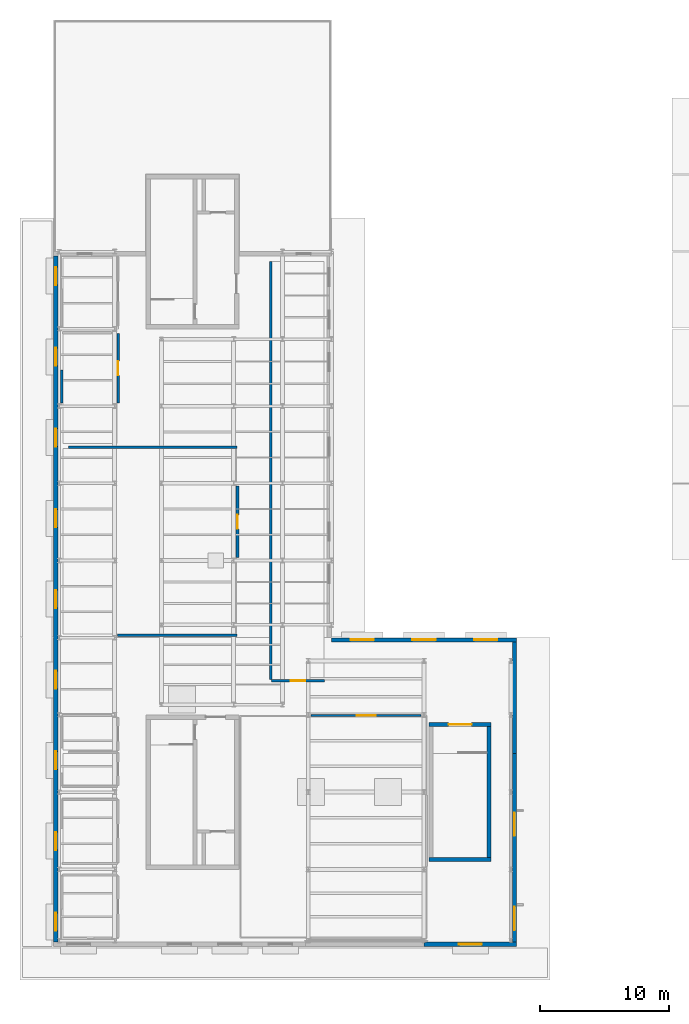
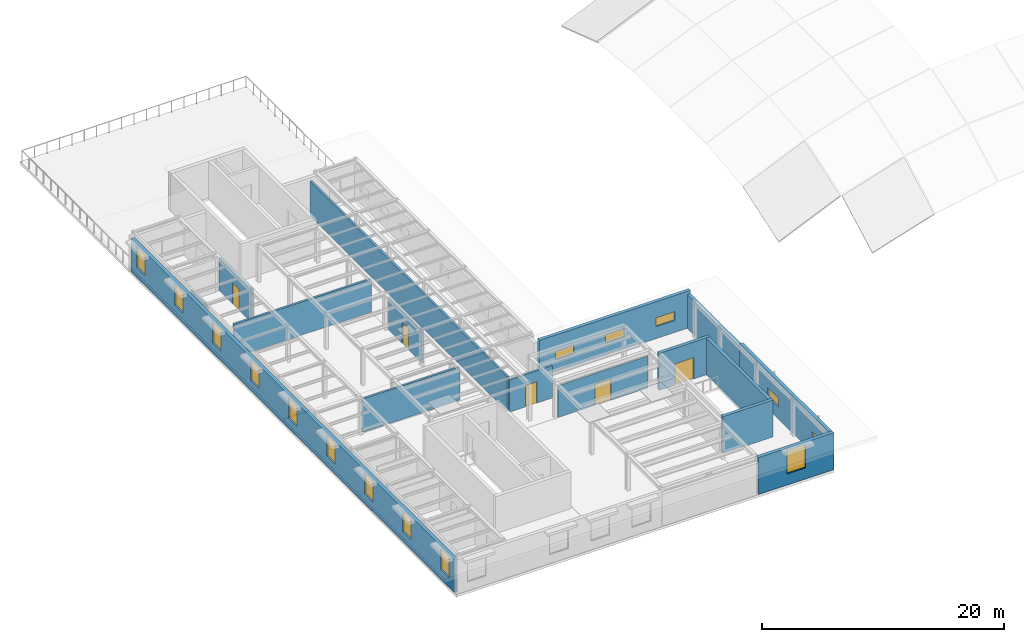
# One storey, part 8 of 10: 16 walls, 15 windows, 5 doors, 20 openings.
"""IFC4 building model written with IfcOpenShell, lengths in metres."""

from ifc_helpers import new_model, si_unit, direction, frame, frame_2d, origin, place, context, subcontext, project, spatial, rectangle, extrude, material, layer, layer_set, type_object, element, fill, save


model = new_model("IFC4")

# Units and contexts
model_context = context("Model", 3, precision=1e-05, world=origin(), true_north=direction((0.0, 1.0)))
body_context = subcontext(model_context, "Body", "Model", "MODEL_VIEW")
ifc_project = project(units=[si_unit("LENGTHUNIT", "METRE"), si_unit("AREAUNIT", "SQUARE_METRE"), si_unit("VOLUMEUNIT", "CUBIC_METRE"), si_unit("PLANEANGLEUNIT", "RADIAN"), si_unit("MASSUNIT", "GRAM", prefix="KILO")], contexts=[model_context])

# Site, building, storey
site_placement = place(None, origin())
site = spatial("IfcSite", under=ifc_project, at=site_placement, CompositionType="ELEMENT")
building_placement = place(site_placement, origin())
building = spatial("IfcBuilding", under=site, at=building_placement, Name="Kolvaren Corner Interchange", CompositionType="ELEMENT")
storey_placement = place(building_placement, frame((0.0, 0.0, 18.75)))
storey = spatial("IfcBuildingStorey", under=building, at=storey_placement, Name="L05", CompositionType="ELEMENT", Elevation=18.75)

# Wall
ifc_material_1 = material(Name="Concrete C35/45", Category="concrete")
ifc_layer_1 = layer(ifc_material_1, 0.31005859375)
ifc_layer_set_1 = layer_set([ifc_layer_1], Name="Concrete C35/45")
wall_type_1 = type_object("IfcWallType", Name="WL-STAIR-300", PredefinedType="SHEAR", material=ifc_layer_set_1)
wall_1_placement = place(storey_placement, frame((29.199951171875, 6.7548828125, 0.0), z_axis=(0.0, 0.0, 1.0), x_axis=(1.0, 0.0, 0.0)))
element("IfcWall", 1, at=wall_1_placement, inside=storey, type_object=wall_type_1, Name="Operations South Bar Protected Exit Stair L05 South Enclosure Wall", PredefinedType="SHEAR", context=body_context, shape_type="SweptSolid", body=[
    extrude(rectangle(XDim=4.800048828125, YDim=0.31005859375, at=frame_2d((2.39990234375, 0.0))), origin(), (0.0, 0.0, 1.0), 3.7099609375),
])

# Wall, opening, door
wall_2_placement = place(storey_placement, frame((29.199951171875, 17.2451171875, 0.0), z_axis=(0.0, 0.0, 1.0), x_axis=(1.0, 0.0, 0.0)))
wall_2 = element("IfcWall", 2, at=wall_2_placement, inside=storey, type_object=wall_type_1, Name="Operations South Bar Protected Exit Stair L05 North Enclosure Wall", PredefinedType="SHEAR", context=body_context, shape_type="SweptSolid", body=[
    extrude(rectangle(XDim=4.800048828125, YDim=0.31005859375, at=frame_2d((2.39990234375, 0.0))), origin(), (0.0, 0.0, 1.0), 3.7099609375),
])
opening_1_placement = place(wall_2_placement, frame((1.5, 0.0, 0.0)))
opening_1 = element("IfcOpeningElement", 3, at=opening_1_placement, cuts=wall_2, Name="Opening D-F01", PredefinedType="OPENING", context=body_context, shape_type="SweptSolid", body=[
    extrude(rectangle(XDim=1.800048828125, YDim=2.14990234375, at=frame_2d((0.89990234375, 1.074951171875))), frame((0.0, 0.1650390625, 0.0), z_axis=(0.0, -1.0, 0.0), x_axis=(1.0, 0.0, 0.0)), (0.0, 0.0, 1.0), 0.330078125),
])
ifc_material_2 = material(Name="Powder-coated Fire-rated Steel Sheet", Category="steel")
door_type_1 = type_object("IfcDoorType", Name="DT-FD-1800x2150", OperationType="NOTDEFINED", PredefinedType="DOOR", material=ifc_material_2)
door_1_placement = place(opening_1_placement, origin())
door_1 = element("IfcDoor", 4, at=door_1_placement, inside=storey, type_object=door_type_1, Name="Operations South Bar Protected Exit Stair L05 Protected Exit Door", OperationType="DOUBLE_DOOR_SINGLE_SWING", OverallHeight=2.14990234375, OverallWidth=1.800048828125, PredefinedType="DOOR", context=body_context, shape_type="SweptSolid", body=[
    extrude(rectangle(XDim=1.800048828125, YDim=2.14990234375, at=frame_2d((0.89990234375, 1.074951171875))), frame((0.0, 0.02490234375, 0.0), z_axis=(0.0, -1.0, 0.0), x_axis=(1.0, 0.0, 0.0)), (0.0, 0.0, 1.0), 0.050048828125),
])
fill(opening_1, door_1)

# Wall
wall_3_placement = place(storey_placement, frame((33.844970703125, 6.909912109375, 0.0), z_axis=(0.0, 0.0, 1.0), x_axis=(0.0, 1.0, 0.0)))
element("IfcWall", 5, at=wall_3_placement, inside=storey, type_object=wall_type_1, Name="Operations South Bar Protected Exit Stair L05 East Enclosure Wall", PredefinedType="SHEAR", context=body_context, shape_type="SweptSolid", body=[
    extrude(rectangle(XDim=10.18017578125, YDim=0.31005859375, at=frame_2d((5.090087890625, 0.0))), origin(), (0.0, 0.0, 1.0), 3.7099609375),
])

# Wall, opening, window
ifc_material_3 = material(Name="Cream Architectural Terracotta Rainscreen Assembly", Category="masonry")
ifc_layer_2 = layer(ifc_material_3, 0.330078125)
ifc_layer_set_2 = layer_set([ifc_layer_2], Name="Cream Architectural Terracotta Rainscreen Assembly")
wall_type_2 = type_object("IfcWallType", Name="WT-EXT-TC320", PredefinedType="SOLIDWALL", material=ifc_layer_set_2)
wall_4_placement = place(storey_placement, frame((28.800048828125, 0.179931640625, 0.0), z_axis=(0.0, 0.0, 1.0), x_axis=(1.0, 0.0, 0.0)))
wall_4 = element("IfcWall", 6, at=wall_4_placement, inside=storey, type_object=wall_type_2, Name="Operations Boulevard South Facade Wall 0051", PredefinedType="SOLIDWALL", context=body_context, shape_type="SweptSolid", body=[
    extrude(rectangle(XDim=7.199951171875, YDim=0.330078125, at=frame_2d((3.60009765625, 0.0))), origin(), (0.0, 0.0, 1.0), 3.7099609375),
])
opening_2_placement = place(wall_4_placement, frame((2.699951171875, 0.0, 1.1201171875)))
opening_2 = element("IfcOpeningElement", 7, at=opening_2_placement, cuts=wall_4, Name="Opening W-03", PredefinedType="OPENING", context=body_context, shape_type="SweptSolid", body=[
    extrude(rectangle(XDim=1.800048828125, YDim=2.35009765625, at=frame_2d((0.89990234375, 1.175048828125))), frame((0.0, 0.175048828125, 0.0), z_axis=(0.0, -1.0, 0.0), x_axis=(1.0, 0.0, 0.0)), (0.0, 0.0, 1.0), 0.35009765625),
])
ifc_material_4 = material(Name="Thermally Broken Aluminium and Solar-Control Double Glazing", Category="aluminium")
window_type_1 = type_object("IfcWindowType", Name="WT-CHI-1800x2400", PartitioningType="DOUBLE_PANEL_VERTICAL", PredefinedType="WINDOW", material=ifc_material_4)
window_1_placement = place(opening_2_placement, origin())
window_1 = element("IfcWindow", 8, at=window_1_placement, inside=storey, type_object=window_type_1, Name="L05 Operations Boulevard South Facade Window 0122", OverallHeight=2.35009765625, OverallWidth=1.800048828125, PartitioningType="SINGLE_PANEL", PredefinedType="WINDOW", context=body_context, shape_type="SweptSolid", body=[
    extrude(rectangle(XDim=1.800048828125, YDim=2.35009765625, at=frame_2d((0.89990234375, 1.175048828125))), frame((0.0, 0.030029296875, 0.0), z_axis=(0.0, -1.0, 0.0), x_axis=(1.0, 0.0, 0.0)), (0.0, 0.0, 1.0), 0.06005859375),
])
fill(opening_2, window_1)

# Wall, openings, windows
wall_5_placement = place(storey_placement, frame((35.830078125, 0.344970703125, 0.0), z_axis=(0.0, 0.0, 1.0), x_axis=(0.0, 1.0, 0.0)))
wall_5 = element("IfcWall", 9, at=wall_5_placement, inside=storey, type_object=wall_type_2, Name="Operations Forecourt East Facade Wall 0052", PredefinedType="SOLIDWALL", context=body_context, shape_type="SweptSolid", body=[
    extrude(rectangle(XDim=14.655029296875, YDim=0.330078125, at=frame_2d((7.32763671875, 0.0))), origin(), (0.0, 0.0, 1.0), 3.7099609375),
])
opening_3_placement = place(wall_5_placement, frame((0.931884765625, 0.0, 1.199951171875)))
opening_3 = element("IfcOpeningElement", 10, at=opening_3_placement, cuts=wall_5, Name="Opening W-09", PredefinedType="OPENING", context=body_context, shape_type="SweptSolid", body=[
    extrude(rectangle(XDim=1.800048828125, YDim=0.89990234375, at=frame_2d((0.89990234375, 0.449951171875))), frame((0.0, 0.175048828125, 0.0), z_axis=(0.0, -1.0, 0.0), x_axis=(1.0, 0.0, 0.0)), (0.0, 0.0, 1.0), 0.35009765625),
])
opening_4_placement = place(wall_5_placement, frame((8.259521484375, 0.0, 1.199951171875)))
opening_4 = element("IfcOpeningElement", 11, at=opening_4_placement, cuts=wall_5, Name="Opening W-09", PredefinedType="OPENING", context=body_context, shape_type="SweptSolid", body=[
    extrude(rectangle(XDim=1.800048828125, YDim=0.89990234375, at=frame_2d((0.89990234375, 0.449951171875))), frame((0.0, 0.175048828125, 0.0), z_axis=(0.0, -1.0, 0.0), x_axis=(1.0, 0.0, 0.0)), (0.0, 0.0, 1.0), 0.35009765625),
])
ifc_material_5 = material(Name="Thermally Broken Aluminium and Solar-Control Double Glazing", Category="aluminium")
window_type_2 = type_object("IfcWindowType", Name="WT-RIB-1800x900", PartitioningType="DOUBLE_PANEL_HORIZONTAL", PredefinedType="WINDOW", material=ifc_material_5)
window_2_placement = place(opening_3_placement, origin())
window_2 = element("IfcWindow", 12, at=window_2_placement, inside=storey, type_object=window_type_2, Name="L05 Operations Forecourt East Facade Window 0123", OverallHeight=0.89990234375, OverallWidth=1.800048828125, PartitioningType="SINGLE_PANEL", PredefinedType="WINDOW", context=body_context, shape_type="SweptSolid", body=[
    extrude(rectangle(XDim=1.800048828125, YDim=0.89990234375, at=frame_2d((0.89990234375, 0.449951171875))), frame((0.0, 0.030029296875, 0.0), z_axis=(0.0, -1.0, 0.0), x_axis=(1.0, 0.0, 0.0)), (0.0, 0.0, 1.0), 0.06005859375),
])
fill(opening_3, window_2)
window_3_placement = place(opening_4_placement, origin())
window_3 = element("IfcWindow", 13, at=window_3_placement, inside=storey, type_object=window_type_2, Name="L05 Operations Forecourt East Facade Window 0124", OverallHeight=0.89990234375, OverallWidth=1.800048828125, PartitioningType="SINGLE_PANEL", PredefinedType="WINDOW", context=body_context, shape_type="SweptSolid", body=[
    extrude(rectangle(XDim=1.800048828125, YDim=0.89990234375, at=frame_2d((0.89990234375, 0.449951171875))), frame((0.0, 0.030029296875, 0.0), z_axis=(0.0, -1.0, 0.0), x_axis=(1.0, 0.0, 0.0)), (0.0, 0.0, 1.0), 0.06005859375),
])
fill(opening_4, window_3)

# Wall
wall_6_placement = place(storey_placement, frame((35.830078125, 15.0, 0.0), z_axis=(0.0, 0.0, 1.0), x_axis=(0.0, 1.0, 0.0)))
element("IfcWall", 14, at=wall_6_placement, inside=storey, type_object=wall_type_2, Name="Operations Forecourt East Facade Wall 0053", PredefinedType="SOLIDWALL", context=body_context, shape_type="SweptSolid", body=[
    extrude(rectangle(XDim=8.64990234375, YDim=0.330078125, at=frame_2d((4.324951171875, 0.0))), origin(), (0.0, 0.0, 1.0), 3.405029296875),
])

# Wall, openings, windows
wall_7_placement = place(storey_placement, frame((36.0, 23.830078125, 0.0), z_axis=(0.0, 0.0, 1.0), x_axis=(-1.0, 0.0, 0.0)))
wall_7 = element("IfcWall", 15, at=wall_7_placement, inside=storey, type_object=wall_type_2, Name="Operations Inner Courtyard South Return Wall 0054", PredefinedType="SOLIDWALL", context=body_context, shape_type="SweptSolid", body=[
    extrude(rectangle(XDim=14.39990234375, YDim=0.330078125, at=frame_2d((7.199951171875, 0.0))), origin(), (0.0, 0.0, 1.0), 3.7099609375),
])
opening_5_placement = place(wall_7_placement, frame((1.5, 0.0, 1.199951171875)))
opening_5 = element("IfcOpeningElement", 16, at=opening_5_placement, cuts=wall_7, Name="Opening W-09", PredefinedType="OPENING", context=body_context, shape_type="SweptSolid", body=[
    extrude(rectangle(XDim=1.800048828125, YDim=0.89990234375, at=frame_2d((0.89990234375, 0.449951171875))), frame((0.0, 0.175048828125, 0.0), z_axis=(0.0, -1.0, 0.0), x_axis=(1.0, 0.0, 0.0)), (0.0, 0.0, 1.0), 0.35009765625),
])
opening_6_placement = place(wall_7_placement, frame((6.300048828125, 0.0, 1.199951171875)))
opening_6 = element("IfcOpeningElement", 17, at=opening_6_placement, cuts=wall_7, Name="Opening W-09", PredefinedType="OPENING", context=body_context, shape_type="SweptSolid", body=[
    extrude(rectangle(XDim=1.800048828125, YDim=0.89990234375, at=frame_2d((0.89990234375, 0.449951171875))), frame((0.0, 0.175048828125, 0.0), z_axis=(0.0, -1.0, 0.0), x_axis=(1.0, 0.0, 0.0)), (0.0, 0.0, 1.0), 0.35009765625),
])
opening_7_placement = place(wall_7_placement, frame((11.10009765625, 0.0, 1.199951171875)))
opening_7 = element("IfcOpeningElement", 18, at=opening_7_placement, cuts=wall_7, Name="Opening W-09", PredefinedType="OPENING", context=body_context, shape_type="SweptSolid", body=[
    extrude(rectangle(XDim=1.800048828125, YDim=0.89990234375, at=frame_2d((0.89990234375, 0.449951171875))), frame((0.0, 0.175048828125, 0.0), z_axis=(0.0, -1.0, 0.0), x_axis=(1.0, 0.0, 0.0)), (0.0, 0.0, 1.0), 0.35009765625),
])
window_4_placement = place(opening_5_placement, origin())
window_4 = element("IfcWindow", 19, at=window_4_placement, inside=storey, type_object=window_type_2, Name="L05 Operations Inner Courtyard South Return Window 0125", OverallHeight=0.89990234375, OverallWidth=1.800048828125, PartitioningType="SINGLE_PANEL", PredefinedType="WINDOW", context=body_context, shape_type="SweptSolid", body=[
    extrude(rectangle(XDim=1.800048828125, YDim=0.89990234375, at=frame_2d((0.89990234375, 0.449951171875))), frame((0.0, 0.030029296875, 0.0), z_axis=(0.0, -1.0, 0.0), x_axis=(1.0, 0.0, 0.0)), (0.0, 0.0, 1.0), 0.06005859375),
])
fill(opening_5, window_4)
window_5_placement = place(opening_6_placement, origin())
window_5 = element("IfcWindow", 20, at=window_5_placement, inside=storey, type_object=window_type_2, Name="L05 Operations Inner Courtyard South Return Window 0126", OverallHeight=0.89990234375, OverallWidth=1.800048828125, PartitioningType="SINGLE_PANEL", PredefinedType="WINDOW", context=body_context, shape_type="SweptSolid", body=[
    extrude(rectangle(XDim=1.800048828125, YDim=0.89990234375, at=frame_2d((0.89990234375, 0.449951171875))), frame((0.0, 0.030029296875, 0.0), z_axis=(0.0, -1.0, 0.0), x_axis=(1.0, 0.0, 0.0)), (0.0, 0.0, 1.0), 0.06005859375),
])
fill(opening_6, window_5)
window_6_placement = place(opening_7_placement, origin())
window_6 = element("IfcWindow", 21, at=window_6_placement, inside=storey, type_object=window_type_2, Name="L05 Operations Inner Courtyard South Return Window 0127", OverallHeight=0.89990234375, OverallWidth=1.800048828125, PartitioningType="SINGLE_PANEL", PredefinedType="WINDOW", context=body_context, shape_type="SweptSolid", body=[
    extrude(rectangle(XDim=1.800048828125, YDim=0.89990234375, at=frame_2d((0.89990234375, 0.449951171875))), frame((0.0, 0.030029296875, 0.0), z_axis=(0.0, -1.0, 0.0), x_axis=(1.0, 0.0, 0.0)), (0.0, 0.0, 1.0), 0.06005859375),
])
fill(opening_7, window_6)

wall_8_placement = place(storey_placement, frame((0.169921875, 53.659912109375, 0.0), z_axis=(0.0, 0.0, 1.0), x_axis=(0.0, -1.0, 0.0)))
wall_8 = element("IfcWall", 22, at=wall_8_placement, inside=storey, type_object=wall_type_2, Name="Operations Trelmava Street West Facade Wall 0058", PredefinedType="SOLIDWALL", context=body_context, shape_type="SweptSolid", body=[
    extrude(rectangle(XDim=53.31494140625, YDim=0.330078125, at=frame_2d((26.657470703125, 0.0))), origin(), (0.0, 0.0, 1.0), 3.344970703125),
])
opening_8_placement = place(wall_8_placement, frame((0.8681640625, 0.0, 1.0048828125)))
opening_8 = element("IfcOpeningElement", 23, at=opening_8_placement, cuts=wall_8, Name="Opening W-14", PredefinedType="OPENING", context=body_context, shape_type="SweptSolid", body=[
    extrude(rectangle(XDim=1.39990234375, YDim=2.10009765625, at=frame_2d((0.699951171875, 1.050048828125))), frame((0.0, 0.175048828125, 0.0), z_axis=(0.0, -1.0, 0.0), x_axis=(1.0, 0.0, 0.0)), (0.0, 0.0, 1.0), 0.35009765625),
])
opening_9_placement = place(wall_8_placement, frame((7.140380859375, 0.0, 1.0048828125)))
opening_9 = element("IfcOpeningElement", 24, at=opening_9_placement, cuts=wall_8, Name="Opening W-14", PredefinedType="OPENING", context=body_context, shape_type="SweptSolid", body=[
    extrude(rectangle(XDim=1.39990234375, YDim=2.10009765625, at=frame_2d((0.699951171875, 1.050048828125))), frame((0.0, 0.175048828125, 0.0), z_axis=(0.0, -1.0, 0.0), x_axis=(1.0, 0.0, 0.0)), (0.0, 0.0, 1.0), 0.35009765625),
])
opening_10_placement = place(wall_8_placement, frame((13.412841796875, 0.0, 1.0048828125)))
opening_10 = element("IfcOpeningElement", 25, at=opening_10_placement, cuts=wall_8, Name="Opening W-14", PredefinedType="OPENING", context=body_context, shape_type="SweptSolid", body=[
    extrude(rectangle(XDim=1.39990234375, YDim=2.10009765625, at=frame_2d((0.699951171875, 1.050048828125))), frame((0.0, 0.175048828125, 0.0), z_axis=(0.0, -1.0, 0.0), x_axis=(1.0, 0.0, 0.0)), (0.0, 0.0, 1.0), 0.35009765625),
])
opening_11_placement = place(wall_8_placement, frame((19.68505859375, 0.0, 1.0048828125)))
opening_11 = element("IfcOpeningElement", 26, at=opening_11_placement, cuts=wall_8, Name="Opening W-14", PredefinedType="OPENING", context=body_context, shape_type="SweptSolid", body=[
    extrude(rectangle(XDim=1.39990234375, YDim=2.10009765625, at=frame_2d((0.699951171875, 1.050048828125))), frame((0.0, 0.175048828125, 0.0), z_axis=(0.0, -1.0, 0.0), x_axis=(1.0, 0.0, 0.0)), (0.0, 0.0, 1.0), 0.35009765625),
])
opening_12_placement = place(wall_8_placement, frame((25.95751953125, 0.0, 1.0048828125)))
opening_12 = element("IfcOpeningElement", 27, at=opening_12_placement, cuts=wall_8, Name="Opening W-14", PredefinedType="OPENING", context=body_context, shape_type="SweptSolid", body=[
    extrude(rectangle(XDim=1.39990234375, YDim=2.10009765625, at=frame_2d((0.699951171875, 1.050048828125))), frame((0.0, 0.175048828125, 0.0), z_axis=(0.0, -1.0, 0.0), x_axis=(1.0, 0.0, 0.0)), (0.0, 0.0, 1.0), 0.35009765625),
])
opening_13_placement = place(wall_8_placement, frame((32.22998046875, 0.0, 1.0048828125)))
opening_13 = element("IfcOpeningElement", 28, at=opening_13_placement, cuts=wall_8, Name="Opening W-14", PredefinedType="OPENING", context=body_context, shape_type="SweptSolid", body=[
    extrude(rectangle(XDim=1.39990234375, YDim=2.10009765625, at=frame_2d((0.699951171875, 1.050048828125))), frame((0.0, 0.175048828125, 0.0), z_axis=(0.0, -1.0, 0.0), x_axis=(1.0, 0.0, 0.0)), (0.0, 0.0, 1.0), 0.35009765625),
])
opening_14_placement = place(wall_8_placement, frame((38.502197265625, 0.0, 1.0048828125)))
opening_14 = element("IfcOpeningElement", 29, at=opening_14_placement, cuts=wall_8, Name="Opening W-14", PredefinedType="OPENING", context=body_context, shape_type="SweptSolid", body=[
    extrude(rectangle(XDim=1.39990234375, YDim=2.10009765625, at=frame_2d((0.699951171875, 1.050048828125))), frame((0.0, 0.175048828125, 0.0), z_axis=(0.0, -1.0, 0.0), x_axis=(1.0, 0.0, 0.0)), (0.0, 0.0, 1.0), 0.35009765625),
])
opening_15_placement = place(wall_8_placement, frame((44.774658203125, 0.0, 1.0048828125)))
opening_15 = element("IfcOpeningElement", 30, at=opening_15_placement, cuts=wall_8, Name="Opening W-14", PredefinedType="OPENING", context=body_context, shape_type="SweptSolid", body=[
    extrude(rectangle(XDim=1.39990234375, YDim=2.10009765625, at=frame_2d((0.699951171875, 1.050048828125))), frame((0.0, 0.175048828125, 0.0), z_axis=(0.0, -1.0, 0.0), x_axis=(1.0, 0.0, 0.0)), (0.0, 0.0, 1.0), 0.35009765625),
])
opening_16_placement = place(wall_8_placement, frame((51.046875, 0.0, 1.0048828125)))
opening_16 = element("IfcOpeningElement", 31, at=opening_16_placement, cuts=wall_8, Name="Opening W-14", PredefinedType="OPENING", context=body_context, shape_type="SweptSolid", body=[
    extrude(rectangle(XDim=1.39990234375, YDim=2.10009765625, at=frame_2d((0.699951171875, 1.050048828125))), frame((0.0, 0.175048828125, 0.0), z_axis=(0.0, -1.0, 0.0), x_axis=(1.0, 0.0, 0.0)), (0.0, 0.0, 1.0), 0.35009765625),
])
ifc_material_6 = material(Name="Thermally Broken Aluminium and Solar-Control Double Glazing", Category="aluminium")
window_type_3 = type_object("IfcWindowType", Name="WT-CHI-1400x2100", PartitioningType="SINGLE_PANEL", PredefinedType="WINDOW", material=ifc_material_6)
window_7_placement = place(opening_8_placement, origin())
window_7 = element("IfcWindow", 32, at=window_7_placement, inside=storey, type_object=window_type_3, Name="L05 Operations Trelmava Street West Facade Window 0134", OverallHeight=2.10009765625, OverallWidth=1.39990234375, PartitioningType="SINGLE_PANEL", PredefinedType="WINDOW", context=body_context, shape_type="SweptSolid", body=[
    extrude(rectangle(XDim=1.39990234375, YDim=2.10009765625, at=frame_2d((0.699951171875, 1.050048828125))), frame((0.0, 0.030029296875, 0.0), z_axis=(0.0, -1.0, 0.0), x_axis=(1.0, 0.0, 0.0)), (0.0, 0.0, 1.0), 0.06005859375),
])
fill(opening_8, window_7)
window_8_placement = place(opening_9_placement, origin())
window_8 = element("IfcWindow", 33, at=window_8_placement, inside=storey, type_object=window_type_3, Name="L05 Operations Trelmava Street West Facade Window 0135", OverallHeight=2.10009765625, OverallWidth=1.39990234375, PartitioningType="SINGLE_PANEL", PredefinedType="WINDOW", context=body_context, shape_type="SweptSolid", body=[
    extrude(rectangle(XDim=1.39990234375, YDim=2.10009765625, at=frame_2d((0.699951171875, 1.050048828125))), frame((0.0, 0.030029296875, 0.0), z_axis=(0.0, -1.0, 0.0), x_axis=(1.0, 0.0, 0.0)), (0.0, 0.0, 1.0), 0.06005859375),
])
fill(opening_9, window_8)
window_9_placement = place(opening_10_placement, origin())
window_9 = element("IfcWindow", 34, at=window_9_placement, inside=storey, type_object=window_type_3, Name="L05 Operations Trelmava Street West Facade Window 0136", OverallHeight=2.10009765625, OverallWidth=1.39990234375, PartitioningType="SINGLE_PANEL", PredefinedType="WINDOW", context=body_context, shape_type="SweptSolid", body=[
    extrude(rectangle(XDim=1.39990234375, YDim=2.10009765625, at=frame_2d((0.699951171875, 1.050048828125))), frame((0.0, 0.030029296875, 0.0), z_axis=(0.0, -1.0, 0.0), x_axis=(1.0, 0.0, 0.0)), (0.0, 0.0, 1.0), 0.06005859375),
])
fill(opening_10, window_9)
window_10_placement = place(opening_11_placement, origin())
window_10 = element("IfcWindow", 35, at=window_10_placement, inside=storey, type_object=window_type_3, Name="L05 Operations Trelmava Street West Facade Window 0137", OverallHeight=2.10009765625, OverallWidth=1.39990234375, PartitioningType="SINGLE_PANEL", PredefinedType="WINDOW", context=body_context, shape_type="SweptSolid", body=[
    extrude(rectangle(XDim=1.39990234375, YDim=2.10009765625, at=frame_2d((0.699951171875, 1.050048828125))), frame((0.0, 0.030029296875, 0.0), z_axis=(0.0, -1.0, 0.0), x_axis=(1.0, 0.0, 0.0)), (0.0, 0.0, 1.0), 0.06005859375),
])
fill(opening_11, window_10)
window_11_placement = place(opening_12_placement, origin())
window_11 = element("IfcWindow", 36, at=window_11_placement, inside=storey, type_object=window_type_3, Name="L05 Operations Trelmava Street West Facade Window 0138", OverallHeight=2.10009765625, OverallWidth=1.39990234375, PartitioningType="SINGLE_PANEL", PredefinedType="WINDOW", context=body_context, shape_type="SweptSolid", body=[
    extrude(rectangle(XDim=1.39990234375, YDim=2.10009765625, at=frame_2d((0.699951171875, 1.050048828125))), frame((0.0, 0.030029296875, 0.0), z_axis=(0.0, -1.0, 0.0), x_axis=(1.0, 0.0, 0.0)), (0.0, 0.0, 1.0), 0.06005859375),
])
fill(opening_12, window_11)
window_12_placement = place(opening_13_placement, origin())
window_12 = element("IfcWindow", 37, at=window_12_placement, inside=storey, type_object=window_type_3, Name="L05 Operations Trelmava Street West Facade Window 0139", OverallHeight=2.10009765625, OverallWidth=1.39990234375, PartitioningType="SINGLE_PANEL", PredefinedType="WINDOW", context=body_context, shape_type="SweptSolid", body=[
    extrude(rectangle(XDim=1.39990234375, YDim=2.10009765625, at=frame_2d((0.699951171875, 1.050048828125))), frame((0.0, 0.030029296875, 0.0), z_axis=(0.0, -1.0, 0.0), x_axis=(1.0, 0.0, 0.0)), (0.0, 0.0, 1.0), 0.06005859375),
])
fill(opening_13, window_12)
window_13_placement = place(opening_14_placement, origin())
window_13 = element("IfcWindow", 38, at=window_13_placement, inside=storey, type_object=window_type_3, Name="L05 Operations Trelmava Street West Facade Window 0140", OverallHeight=2.10009765625, OverallWidth=1.39990234375, PartitioningType="SINGLE_PANEL", PredefinedType="WINDOW", context=body_context, shape_type="SweptSolid", body=[
    extrude(rectangle(XDim=1.39990234375, YDim=2.10009765625, at=frame_2d((0.699951171875, 1.050048828125))), frame((0.0, 0.030029296875, 0.0), z_axis=(0.0, -1.0, 0.0), x_axis=(1.0, 0.0, 0.0)), (0.0, 0.0, 1.0), 0.06005859375),
])
fill(opening_14, window_13)
window_14_placement = place(opening_15_placement, origin())
window_14 = element("IfcWindow", 39, at=window_14_placement, inside=storey, type_object=window_type_3, Name="L05 Operations Trelmava Street West Facade Window 0141", OverallHeight=2.10009765625, OverallWidth=1.39990234375, PartitioningType="SINGLE_PANEL", PredefinedType="WINDOW", context=body_context, shape_type="SweptSolid", body=[
    extrude(rectangle(XDim=1.39990234375, YDim=2.10009765625, at=frame_2d((0.699951171875, 1.050048828125))), frame((0.0, 0.030029296875, 0.0), z_axis=(0.0, -1.0, 0.0), x_axis=(1.0, 0.0, 0.0)), (0.0, 0.0, 1.0), 0.06005859375),
])
fill(opening_15, window_14)
window_15_placement = place(opening_16_placement, origin())
window_15 = element("IfcWindow", 40, at=window_15_placement, inside=storey, type_object=window_type_3, Name="L05 Operations Trelmava Street West Facade Window 0142", OverallHeight=2.10009765625, OverallWidth=1.39990234375, PartitioningType="SINGLE_PANEL", PredefinedType="WINDOW", context=body_context, shape_type="SweptSolid", body=[
    extrude(rectangle(XDim=1.39990234375, YDim=2.10009765625, at=frame_2d((0.699951171875, 1.050048828125))), frame((0.0, 0.030029296875, 0.0), z_axis=(0.0, -1.0, 0.0), x_axis=(1.0, 0.0, 0.0)), (0.0, 0.0, 1.0), 0.06005859375),
])
fill(opening_16, window_15)

# Wall, opening, door
ifc_material_7 = material(Name="Acoustic Double-Stud Drywall Partition")
ifc_layer_3 = layer(ifc_material_7, 0.159912109375)
ifc_layer_set_3 = layer_set([ifc_layer_3], Name="Acoustic Double-Stud Drywall Partition")
wall_type_3 = type_object("IfcWallType", Name="WT-PART-AC160", PredefinedType="PARTITIONING", material=ifc_layer_set_3)
wall_9_placement = place(storey_placement, frame((28.570068359375, 17.949951171875, 0.0), z_axis=(0.0, 0.0, 1.0), x_axis=(-1.0, 0.0, 0.0)))
wall_9 = element("IfcWall", 41, at=wall_9_placement, inside=storey, type_object=wall_type_3, Name="L05 Intermodal Operations Control Room Partition Wall 187", PredefinedType="PARTITIONING", context=body_context, shape_type="SweptSolid", body=[
    extrude(rectangle(XDim=8.5400390625, YDim=0.159912109375, at=frame_2d((4.27001953125, 0.0))), origin(), (0.0, 0.0, 1.0), 3.205078125),
])
opening_17_placement = place(wall_9_placement, frame((3.52001953125, 0.0, 0.0)))
opening_17 = element("IfcOpeningElement", 42, at=opening_17_placement, cuts=wall_9, Name="Opening D-F02", PredefinedType="OPENING", context=body_context, shape_type="SweptSolid", body=[
    extrude(rectangle(XDim=1.5, YDim=2.14990234375, at=frame_2d((0.75, 1.074951171875))), frame((0.0, 0.08984375, 0.0), z_axis=(0.0, -1.0, 0.0), x_axis=(1.0, 0.0, 0.0)), (0.0, 0.0, 1.0), 0.179931640625),
])
ifc_material_8 = material(Name="Powder-coated Fire-rated Steel Sheet", Category="steel")
door_type_2 = type_object("IfcDoorType", Name="DT-FD-1500x2150", OperationType="NOTDEFINED", PredefinedType="DOOR", material=ifc_material_8)
door_2_placement = place(opening_17_placement, origin())
door_2 = element("IfcDoor", 43, at=door_2_placement, inside=storey, type_object=door_type_2, Name="L05 Intermodal Operations Control Room Door", OperationType="DOUBLE_DOOR_SINGLE_SWING", OverallHeight=2.14990234375, OverallWidth=1.5, PredefinedType="DOOR", context=body_context, shape_type="SweptSolid", body=[
    extrude(rectangle(XDim=1.5, YDim=2.14990234375, at=frame_2d((0.75, 1.074951171875))), frame((0.0, 0.02490234375, 0.0), z_axis=(0.0, -1.0, 0.0), x_axis=(1.0, 0.0, 0.0)), (0.0, 0.0, 1.0), 0.050048828125),
])
fill(opening_17, door_2)

# Wall
ifc_material_9 = material(Name="Fire-Rated Gypsum Block Partition")
ifc_layer_4 = layer(ifc_material_9, 0.199951171875)
ifc_layer_set_4 = layer_set([ifc_layer_4], Name="Fire-Rated Gypsum Block Partition")
wall_type_4 = type_object("IfcWallType", Name="WT-PART-FR200", PredefinedType="PARTITIONING", material=ifc_layer_set_4)
wall_10_placement = place(storey_placement, frame((4.97998046875, 24.199951171875, 0.0), z_axis=(0.0, 0.0, 1.0), x_axis=(1.0, 0.0, 0.0)))
element("IfcWall", 44, at=wall_10_placement, inside=storey, type_object=wall_type_4, Name="L05 Signalling and SCADA Server Hall Partition Wall 188", PredefinedType="PARTITIONING", context=body_context, shape_type="SweptSolid", body=[
    extrude(rectangle(XDim=9.27001953125, YDim=0.199951171875, at=frame_2d((4.635009765625, 0.0))), origin(), (0.0, 0.0, 1.0), 3.344970703125),
])

# Wall, opening, door
wall_11_placement = place(storey_placement, frame((14.300048828125, 30.22998046875, 0.0), z_axis=(0.0, 0.0, 1.0), x_axis=(0.0, 1.0, 0.0)))
wall_11 = element("IfcWall", 45, at=wall_11_placement, inside=storey, type_object=wall_type_4, Name="L05 Signalling and SCADA Server Hall Partition Wall 189", PredefinedType="PARTITIONING", context=body_context, shape_type="SweptSolid", body=[
    extrude(rectangle(XDim=5.5400390625, YDim=0.199951171875, at=frame_2d((2.77001953125, 0.0))), origin(), (0.0, 0.0, 1.0), 3.344970703125),
])
opening_18_placement = place(wall_11_placement, frame((2.219970703125, 0.0, 0.0)))
opening_18 = element("IfcOpeningElement", 46, at=opening_18_placement, cuts=wall_11, Name="Opening D-F03", PredefinedType="OPENING", context=body_context, shape_type="SweptSolid", body=[
    extrude(rectangle(XDim=1.10009765625, YDim=2.14990234375, at=frame_2d((0.550048828125, 1.074951171875))), frame((0.0, 0.10986328125, 0.0), z_axis=(0.0, -1.0, 0.0), x_axis=(1.0, 0.0, 0.0)), (0.0, 0.0, 1.0), 0.219970703125),
])
ifc_material_10 = material(Name="Powder-coated Fire-rated Steel Sheet", Category="steel")
door_type_3 = type_object("IfcDoorType", Name="DT-FD-1100x2150", OperationType="NOTDEFINED", PredefinedType="DOOR", material=ifc_material_10)
door_3_placement = place(opening_18_placement, origin())
door_3 = element("IfcDoor", 47, at=door_3_placement, inside=storey, type_object=door_type_3, Name="L05 Signalling and SCADA Server Hall Door", OperationType="SINGLE_SWING_LEFT", OverallHeight=2.14990234375, OverallWidth=1.10009765625, PredefinedType="DOOR", context=body_context, shape_type="SweptSolid", body=[
    extrude(rectangle(XDim=1.10009765625, YDim=2.14990234375, at=frame_2d((0.550048828125, 1.074951171875))), frame((0.0, 0.02490234375, 0.0), z_axis=(0.0, -1.0, 0.0), x_axis=(1.0, 0.0, 0.0)), (0.0, 0.0, 1.0), 0.050048828125),
])
fill(opening_18, door_3)

# Wall
wall_12_placement = place(storey_placement, frame((14.25, 38.800048828125, 0.0), z_axis=(0.0, 0.0, 1.0), x_axis=(-1.0, 0.0, 0.0)))
element("IfcWall", 48, at=wall_12_placement, inside=storey, type_object=wall_type_4, Name="L05 Signalling and SCADA Server Hall Partition Wall 190", PredefinedType="PARTITIONING", context=body_context, shape_type="SweptSolid", body=[
    extrude(rectangle(XDim=13.080078125, YDim=0.199951171875, at=frame_2d((6.5400390625, 0.0))), origin(), (0.0, 0.0, 1.0), 3.344970703125),
])

# Wall, opening, door
wall_13_placement = place(storey_placement, frame((16.949951171875, 20.64990234375, 0.0), z_axis=(0.0, 0.0, 1.0), x_axis=(1.0, 0.0, 0.0)))
wall_13 = element("IfcWall", 49, at=wall_13_placement, inside=storey, type_object=wall_type_4, Name="L05 Operations Chiller and AHU Plant Partition Wall 195", PredefinedType="PARTITIONING", context=body_context, shape_type="SweptSolid", body=[
    extrude(rectangle(XDim=4.10009765625, YDim=0.199951171875, at=frame_2d((2.050048828125, 0.0))), origin(), (0.0, 0.0, 1.0), 3.2451171875),
])
opening_19_placement = place(wall_13_placement, frame((1.5, 0.0, 0.0)))
opening_19 = element("IfcOpeningElement", 50, at=opening_19_placement, cuts=wall_13, Name="Opening D-F03", PredefinedType="OPENING", context=body_context, shape_type="SweptSolid", body=[
    extrude(rectangle(XDim=1.10009765625, YDim=2.14990234375, at=frame_2d((0.550048828125, 1.074951171875))), frame((0.0, 0.10986328125, 0.0), z_axis=(0.0, -1.0, 0.0), x_axis=(1.0, 0.0, 0.0)), (0.0, 0.0, 1.0), 0.219970703125),
])
door_4_placement = place(opening_19_placement, origin())
door_4 = element("IfcDoor", 51, at=door_4_placement, inside=storey, type_object=door_type_3, Name="L05 Operations Chiller and AHU Plant Door", OperationType="SINGLE_SWING_LEFT", OverallHeight=2.14990234375, OverallWidth=1.10009765625, PredefinedType="DOOR", context=body_context, shape_type="SweptSolid", body=[
    extrude(rectangle(XDim=1.10009765625, YDim=2.14990234375, at=frame_2d((0.550048828125, 1.074951171875))), frame((0.0, 0.02490234375, 0.0), z_axis=(0.0, -1.0, 0.0), x_axis=(1.0, 0.0, 0.0)), (0.0, 0.0, 1.0), 0.050048828125),
])
fill(opening_19, door_4)

# Wall
wall_14_placement = place(storey_placement, frame((16.89990234375, 53.25, 0.0), z_axis=(0.0, 0.0, 1.0), x_axis=(0.0, -1.0, 0.0)))
element("IfcWall", 52, at=wall_14_placement, inside=storey, type_object=wall_type_4, Name="L05 Operations Chiller and AHU Plant Partition Wall 196", PredefinedType="PARTITIONING", context=body_context, shape_type="SweptSolid", body=[
    extrude(rectangle(XDim=32.498046875, YDim=0.199951171875, at=frame_2d((16.2490234375, 0.0))), origin(), (0.0, 0.0, 1.0), 3.5048828125),
])

# Wall, opening, door
wall_15_placement = place(storey_placement, frame((5.02001953125, 42.22998046875, 0.0), z_axis=(0.0, 0.0, 1.0), x_axis=(0.0, 1.0, 0.0)))
wall_15 = element("IfcWall", 53, at=wall_15_placement, inside=storey, type_object=wall_type_4, Name="L05 Control Room Redundant UPS Room Partition Wall 197", PredefinedType="PARTITIONING", context=body_context, shape_type="SweptSolid", body=[
    extrude(rectangle(XDim=5.419921875, YDim=0.199951171875, at=frame_2d((2.7099609375, 0.0))), origin(), (0.0, 0.0, 1.0), 3.344970703125),
])
opening_20_placement = place(wall_15_placement, frame((2.159912109375, 0.0, 0.0)))
opening_20 = element("IfcOpeningElement", 54, at=opening_20_placement, cuts=wall_15, Name="Opening D-F03", PredefinedType="OPENING", context=body_context, shape_type="SweptSolid", body=[
    extrude(rectangle(XDim=1.10009765625, YDim=2.14990234375, at=frame_2d((0.550048828125, 1.074951171875))), frame((0.0, 0.10986328125, 0.0), z_axis=(0.0, -1.0, 0.0), x_axis=(1.0, 0.0, 0.0)), (0.0, 0.0, 1.0), 0.219970703125),
])
door_5_placement = place(opening_20_placement, origin())
door_5 = element("IfcDoor", 55, at=door_5_placement, inside=storey, type_object=door_type_3, Name="L05 Control Room Redundant UPS Room Door", OperationType="SINGLE_SWING_RIGHT", OverallHeight=2.14990234375, OverallWidth=1.10009765625, PredefinedType="DOOR", context=body_context, shape_type="SweptSolid", body=[
    extrude(rectangle(XDim=1.10009765625, YDim=2.14990234375, at=frame_2d((0.550048828125, 1.074951171875))), frame((0.0, 0.02490234375, 0.0), z_axis=(0.0, -1.0, 0.0), x_axis=(1.0, 0.0, 0.0)), (0.0, 0.0, 1.0), 0.050048828125),
])
fill(opening_20, door_5)

# Wall
wall_16_placement = place(storey_placement, frame((0.64990234375, 44.819580078125, 0.0), z_axis=(0.0, 0.0, 1.0), x_axis=(0.0, -1.0, 0.0)))
element("IfcWall", 56, at=wall_16_placement, inside=storey, type_object=wall_type_4, Name="L05 Control Room Redundant UPS Room Partition Wall 199", PredefinedType="PARTITIONING", context=body_context, shape_type="SweptSolid", body=[
    extrude(rectangle(XDim=2.599609375, YDim=0.199951171875, at=frame_2d((1.2998046875, 0.0))), origin(), (0.0, 0.0, 1.0), 3.344970703125),
])

save(model, "model.ifc")
